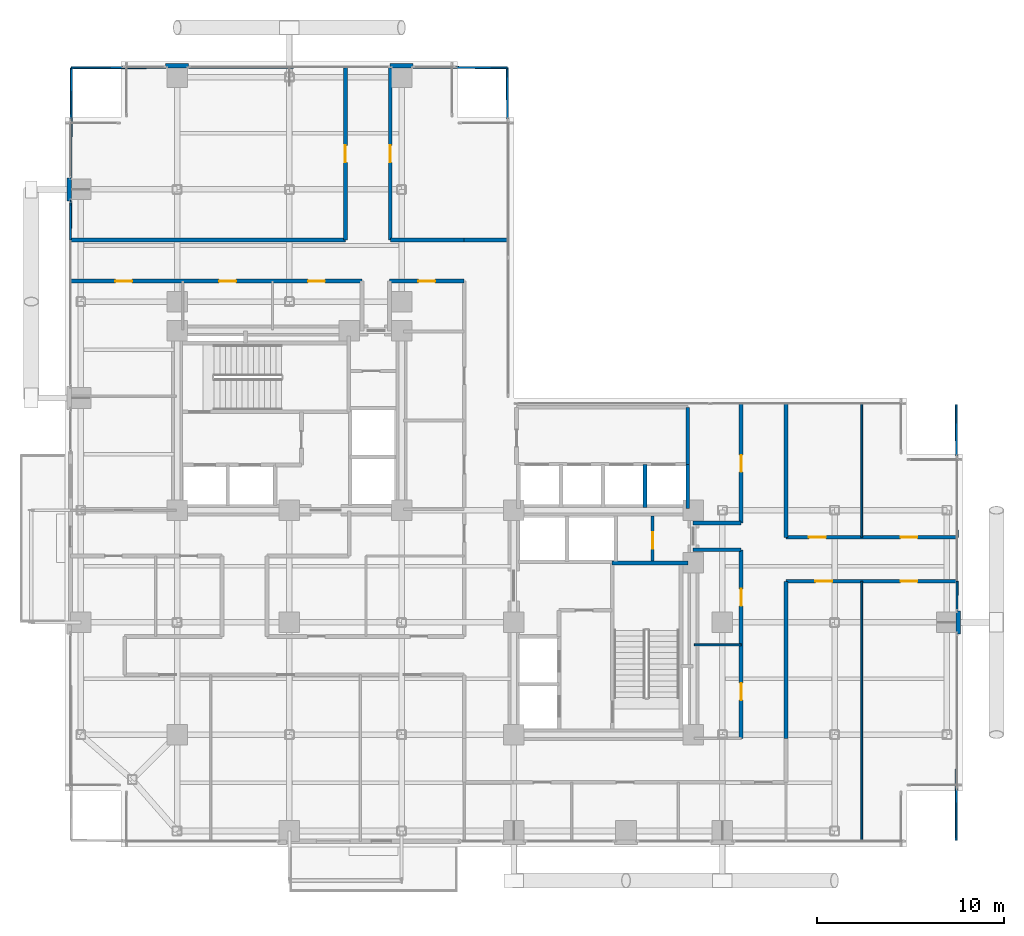
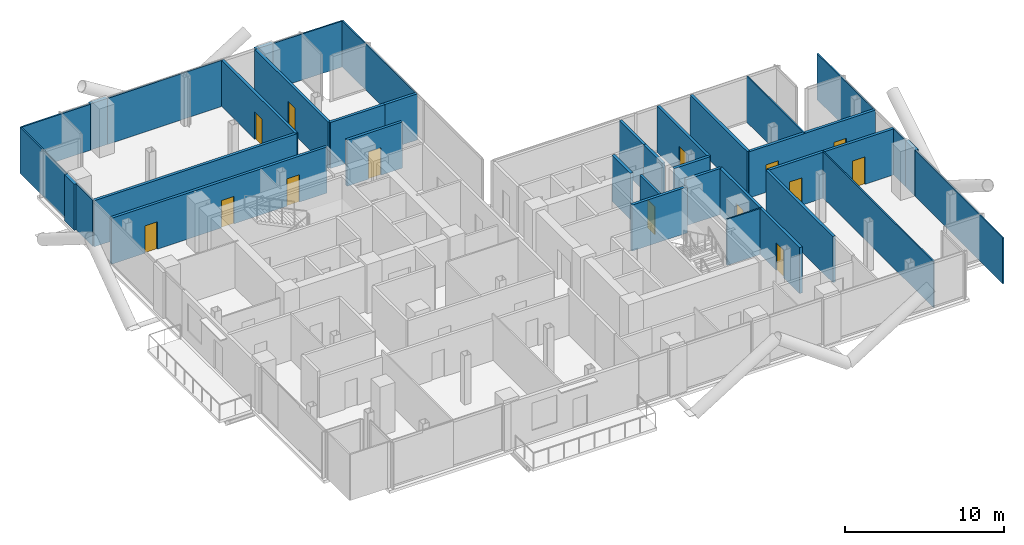
# One storey, part 21 of 24: 36 walls, 14 doors, 14 openings.
"""IFC4 building model written with IfcOpenShell, lengths in metres."""

from ifc_helpers import new_model, si_unit, direction, frame, frame_2d, origin, place, context, subcontext, project, spatial, rectangle, extrude, material, layer, layer_set, type_object, element, fill, save


model = new_model("IFC4")

# Units and contexts
model_context = context("Model", 3, precision=1e-05, world=origin(), true_north=direction((0.0, 1.0)))
body_context = subcontext(model_context, "Body", "Model", "MODEL_VIEW")
ifc_project = project(units=[si_unit("LENGTHUNIT", "METRE"), si_unit("AREAUNIT", "SQUARE_METRE"), si_unit("VOLUMEUNIT", "CUBIC_METRE"), si_unit("PLANEANGLEUNIT", "RADIAN"), si_unit("MASSUNIT", "GRAM", prefix="KILO"), si_unit("THERMODYNAMICTEMPERATUREUNIT", "KELVIN"), si_unit("POWERUNIT", "WATT")], contexts=[model_context])

# Site, building, storey
site_placement = place(None, origin())
site = spatial("IfcSite", under=ifc_project, at=site_placement, CompositionType="ELEMENT")
building_placement = place(site_placement, origin())
building = spatial("IfcBuilding", under=site, at=building_placement, Name="Svarakhadi Broadcast Tower", CompositionType="ELEMENT")
storey_placement = place(building_placement, frame((0.0, 0.0, 145.64990234375)))
storey = spatial("IfcBuildingStorey", under=building, at=storey_placement, Name="L35", CompositionType="ELEMENT", Elevation=145.64990234375)

# Wall, openings, doors
ifc_material_1 = material(Name="Double-Stud Acoustic Studio Partition STC-62", Category="gypsum")
ifc_layer_1 = layer(ifc_material_1, 0.199951171875)
ifc_layer_set_1 = layer_set([ifc_layer_1], Name="Double-Stud Acoustic Studio Partition STC-62")
wall_type_1 = type_object("IfcWallType", Name="Wall_Acoust_200", PredefinedType="PARTITIONING", material=ifc_layer_set_1)
wall_1_placement = place(storey_placement, frame((36.14990234375, 5.800048828125, 0.0), z_axis=(0.0, 0.0, 1.0), x_axis=(0.0, 1.0, 0.0)))
wall_1 = element("IfcWall", 1, at=wall_1_placement, inside=storey, type_object=wall_type_1, Name="L35 Zone 2/3 Corridor Wall", PredefinedType="PARTITIONING", context=body_context, shape_type="SweptSolid", body=[
    extrude(rectangle(XDim=10.079833984375, YDim=0.199951171875, at=frame_2d((5.0400390625, 0.0))), origin(), (0.0, 0.0, 1.0), 3.525146484375),
])
opening_1_placement = place(wall_1_placement, frame((2.050048828125, 0.0, 0.0)))
opening_1 = element("IfcOpeningElement", 2, at=opening_1_placement, cuts=wall_1, Name="Opening D-15", PredefinedType="OPENING", context=body_context, shape_type="SweptSolid", body=[
    extrude(rectangle(XDim=0.89990234375, YDim=2.10009765625, at=frame_2d((0.449951171875, 1.050048828125))), frame((0.0, 0.10986328125, 0.0), z_axis=(0.0, -1.0, 0.0), x_axis=(1.0, 0.0, 0.0)), (0.0, 0.0, 1.0), 0.219970703125),
])
opening_2_placement = place(wall_1_placement, frame((7.090087890625, 0.0, 0.0)))
opening_2 = element("IfcOpeningElement", 3, at=opening_2_placement, cuts=wall_1, Name="Opening D-15", PredefinedType="OPENING", context=body_context, shape_type="SweptSolid", body=[
    extrude(rectangle(XDim=0.89990234375, YDim=2.10009765625, at=frame_2d((0.449951171875, 1.050048828125))), frame((0.0, 0.10986328125, 0.0), z_axis=(0.0, -1.0, 0.0), x_axis=(1.0, 0.0, 0.0)), (0.0, 0.0, 1.0), 0.219970703125),
])
ifc_material_2 = material(Name="Solid-Core Teak Veneer Acoustic Timber Leaf", Category="wood")
door_type_1 = type_object("IfcDoorType", Name="Door_Int_D15", OperationType="SINGLE_SWING_RIGHT", PredefinedType="DOOR", material=ifc_material_2)
door_1_placement = place(opening_1_placement, origin())
door_1 = element("IfcDoor", 4, at=door_1_placement, inside=storey, type_object=door_type_1, Name="L35 Media Playout Monitoring Office Door", OperationType="SINGLE_SWING_RIGHT", OverallHeight=2.10009765625, OverallWidth=0.89990234375, PredefinedType="DOOR", context=body_context, shape_type="SweptSolid", body=[
    extrude(rectangle(XDim=0.89990234375, YDim=2.10009765625, at=frame_2d((0.449951171875, 1.050048828125))), frame((0.0, 0.02490234375, 0.0), z_axis=(0.0, -1.0, 0.0), x_axis=(1.0, 0.0, 0.0)), (0.0, 0.0, 1.0), 0.050048828125),
])
fill(opening_1, door_1)
door_2_placement = place(opening_2_placement, origin())
door_2 = element("IfcDoor", 5, at=door_2_placement, inside=storey, type_object=door_type_1, Name="L35 Broadcast Ingest Studio Door", OperationType="SINGLE_SWING_RIGHT", OverallHeight=2.10009765625, OverallWidth=0.89990234375, PredefinedType="DOOR", context=body_context, shape_type="SweptSolid", body=[
    extrude(rectangle(XDim=0.89990234375, YDim=2.10009765625, at=frame_2d((0.449951171875, 1.050048828125))), frame((0.0, 0.02490234375, 0.0), z_axis=(0.0, -1.0, 0.0), x_axis=(1.0, 0.0, 0.0)), (0.0, 0.0, 1.0), 0.050048828125),
])
fill(opening_2, door_2)

# Walls
for number, where, z_axis, x_axis, name in (
    (6, (36.14990234375, 15.8798828125, 0.0), (0.0, 0.0, 1.0), (-1.0, 0.0, 0.0), "L35 Zone 2/3 Corridor Wall"),
    (7, (33.580078125, 17.320068359375, 0.0), (0.0, 0.0, 1.0), (1.0, 0.0, 0.0), "L35 Zone 2/3 Corridor Wall"),
):
    element("IfcWall", number, at=place(storey_placement, frame(where, z_axis=z_axis, x_axis=x_axis)), inside=storey, type_object=wall_type_1, Name=name, PredefinedType="PARTITIONING", context=body_context, shape_type="SweptSolid", body=[
        extrude(rectangle(XDim=2.56982421875, YDim=0.199951171875, at=frame_2d((1.284912109375, 0.0))), origin(), (0.0, 0.0, 1.0), 3.525146484375),
    ])

# Wall, opening, door
wall_2_placement = place(storey_placement, frame((36.14990234375, 17.320068359375, 0.0), z_axis=(0.0, 0.0, 1.0), x_axis=(0.0, 1.0, 0.0)))
wall_2 = element("IfcWall", 8, at=wall_2_placement, inside=storey, type_object=wall_type_1, Name="L35 Zone 2/3 Corridor Wall", PredefinedType="PARTITIONING", context=body_context, shape_type="SweptSolid", body=[
    extrude(rectangle(XDim=6.3798828125, YDim=0.199951171875, at=frame_2d((3.18994140625, 0.0))), origin(), (0.0, 0.0, 1.0), 3.525146484375),
])
opening_3_placement = place(wall_2_placement, frame((2.72998046875, 0.0, 0.0)))
opening_3 = element("IfcOpeningElement", 9, at=opening_3_placement, cuts=wall_2, Name="Opening D-15", PredefinedType="OPENING", context=body_context, shape_type="SweptSolid", body=[
    extrude(rectangle(XDim=0.89990234375, YDim=2.10009765625, at=frame_2d((0.449951171875, 1.050048828125))), frame((0.0, 0.10986328125, 0.0), z_axis=(0.0, -1.0, 0.0), x_axis=(1.0, 0.0, 0.0)), (0.0, 0.0, 1.0), 0.219970703125),
])
door_3_placement = place(opening_3_placement, origin())
door_3 = element("IfcDoor", 10, at=door_3_placement, inside=storey, type_object=door_type_1, Name="L35 Post-Production Coordination Office Door", OperationType="SINGLE_SWING_RIGHT", OverallHeight=2.10009765625, OverallWidth=0.89990234375, PredefinedType="DOOR", context=body_context, shape_type="SweptSolid", body=[
    extrude(rectangle(XDim=0.89990234375, YDim=2.10009765625, at=frame_2d((0.449951171875, 1.050048828125))), frame((0.0, 0.02490234375, 0.0), z_axis=(0.0, -1.0, 0.0), x_axis=(1.0, 0.0, 0.0)), (0.0, 0.0, 1.0), 0.050048828125),
])
fill(opening_3, door_3)

# Wall
wall_3_placement = place(storey_placement, frame((38.550048828125, 23.699951171875, 0.0), z_axis=(0.0, 0.0, 1.0), x_axis=(0.0, -1.0, 0.0)))
element("IfcWall", 11, at=wall_3_placement, inside=storey, type_object=wall_type_1, Name="L35 Zone 2/3 Corridor Wall", PredefinedType="PARTITIONING", context=body_context, shape_type="SweptSolid", body=[
    extrude(rectangle(XDim=7.14990234375, YDim=0.199951171875, at=frame_2d((3.574951171875, 0.0))), origin(), (0.0, 0.0, 1.0), 3.525146484375),
])

# Wall, openings, doors
wall_4_placement = place(storey_placement, frame((38.550048828125, 16.550048828125, 0.0), z_axis=(0.0, 0.0, 1.0), x_axis=(1.0, 0.0, 0.0)))
wall_4 = element("IfcWall", 12, at=wall_4_placement, inside=storey, type_object=wall_type_1, Name="L35 Zone 2/3 Corridor Wall", PredefinedType="PARTITIONING", context=body_context, shape_type="SweptSolid", body=[
    extrude(rectangle(XDim=9.14990234375, YDim=0.199951171875, at=frame_2d((4.574951171875, 0.0))), origin(), (0.0, 0.0, 1.0), 3.525146484375),
])
opening_4_placement = place(wall_4_placement, frame((1.22998046875, 0.0, 0.0)))
opening_4 = element("IfcOpeningElement", 13, at=opening_4_placement, cuts=wall_4, Name="Opening D-14", PredefinedType="OPENING", context=body_context, shape_type="SweptSolid", body=[
    extrude(rectangle(XDim=0.89990234375, YDim=2.10009765625, at=frame_2d((0.449951171875, 1.050048828125))), frame((0.0, 0.10986328125, 0.0), z_axis=(0.0, -1.0, 0.0), x_axis=(1.0, 0.0, 0.0)), (0.0, 0.0, 1.0), 0.219970703125),
])
opening_5_placement = place(wall_4_placement, frame((6.125, 0.0, 0.0)))
opening_5 = element("IfcOpeningElement", 14, at=opening_5_placement, cuts=wall_4, Name="Opening D-15", PredefinedType="OPENING", context=body_context, shape_type="SweptSolid", body=[
    extrude(rectangle(XDim=0.89990234375, YDim=2.10009765625, at=frame_2d((0.449951171875, 1.050048828125))), frame((0.0, 0.10986328125, 0.0), z_axis=(0.0, -1.0, 0.0), x_axis=(1.0, 0.0, 0.0)), (0.0, 0.0, 1.0), 0.219970703125),
])
door_type_2 = type_object("IfcDoorType", Name="Door_Int_D14", OperationType="SINGLE_SWING_LEFT", PredefinedType="DOOR", material=ifc_material_2)
door_4_placement = place(opening_4_placement, origin())
door_4 = element("IfcDoor", 15, at=door_4_placement, inside=storey, type_object=door_type_2, Name="L35 Broadcast Graphics Room Door", OperationType="SINGLE_SWING_LEFT", OverallHeight=2.10009765625, OverallWidth=0.89990234375, PredefinedType="DOOR", context=body_context, shape_type="SweptSolid", body=[
    extrude(rectangle(XDim=0.89990234375, YDim=2.10009765625, at=frame_2d((0.449951171875, 1.050048828125))), frame((0.0, 0.02490234375, 0.0), z_axis=(0.0, -1.0, 0.0), x_axis=(1.0, 0.0, 0.0)), (0.0, 0.0, 1.0), 0.050048828125),
])
fill(opening_4, door_4)
door_5_placement = place(opening_5_placement, origin())
door_5 = element("IfcDoor", 16, at=door_5_placement, inside=storey, type_object=door_type_1, Name="L35 Graphics Workstation Office Door", OperationType="SINGLE_SWING_RIGHT", OverallHeight=2.10009765625, OverallWidth=0.89990234375, PredefinedType="DOOR", context=body_context, shape_type="SweptSolid", body=[
    extrude(rectangle(XDim=0.89990234375, YDim=2.10009765625, at=frame_2d((0.449951171875, 1.050048828125))), frame((0.0, 0.02490234375, 0.0), z_axis=(0.0, -1.0, 0.0), x_axis=(1.0, 0.0, 0.0)), (0.0, 0.0, 1.0), 0.050048828125),
])
fill(opening_5, door_5)

wall_5_placement = place(storey_placement, frame((47.699951171875, 14.199951171875, 0.0), z_axis=(0.0, 0.0, 1.0), x_axis=(-1.0, 0.0, 0.0)))
wall_5 = element("IfcWall", 17, at=wall_5_placement, inside=storey, type_object=wall_type_1, Name="L35 Zone 2/3 Corridor Wall", PredefinedType="PARTITIONING", context=body_context, shape_type="SweptSolid", body=[
    extrude(rectangle(XDim=9.14990234375, YDim=0.199951171875, at=frame_2d((4.574951171875, 0.0))), origin(), (0.0, 0.0, 1.0), 3.525146484375),
])
opening_6_placement = place(wall_5_placement, frame((6.675048828125, 0.0, 0.0)))
opening_6 = element("IfcOpeningElement", 18, at=opening_6_placement, cuts=wall_5, Name="Opening D-14", PredefinedType="OPENING", context=body_context, shape_type="SweptSolid", body=[
    extrude(rectangle(XDim=0.89990234375, YDim=2.10009765625, at=frame_2d((0.449951171875, 1.050048828125))), frame((0.0, 0.10986328125, 0.0), z_axis=(0.0, -1.0, 0.0), x_axis=(1.0, 0.0, 0.0)), (0.0, 0.0, 1.0), 0.219970703125),
])
opening_7_placement = place(wall_5_placement, frame((2.125, 0.0, 0.0)))
opening_7 = element("IfcOpeningElement", 19, at=opening_7_placement, cuts=wall_5, Name="Opening D-15", PredefinedType="OPENING", context=body_context, shape_type="SweptSolid", body=[
    extrude(rectangle(XDim=0.89990234375, YDim=2.10009765625, at=frame_2d((0.449951171875, 1.050048828125))), frame((0.0, 0.10986328125, 0.0), z_axis=(0.0, -1.0, 0.0), x_axis=(1.0, 0.0, 0.0)), (0.0, 0.0, 1.0), 0.219970703125),
])
door_6_placement = place(opening_6_placement, origin())
door_6 = element("IfcDoor", 20, at=door_6_placement, inside=storey, type_object=door_type_2, Name="L35 Concept Art Pod Door", OperationType="SINGLE_SWING_LEFT", OverallHeight=2.10009765625, OverallWidth=0.89990234375, PredefinedType="DOOR", context=body_context, shape_type="SweptSolid", body=[
    extrude(rectangle(XDim=0.89990234375, YDim=2.10009765625, at=frame_2d((0.449951171875, 1.050048828125))), frame((0.0, 0.02490234375, 0.0), z_axis=(0.0, -1.0, 0.0), x_axis=(1.0, 0.0, 0.0)), (0.0, 0.0, 1.0), 0.050048828125),
])
fill(opening_6, door_6)
door_7_placement = place(opening_7_placement, origin())
door_7 = element("IfcDoor", 21, at=door_7_placement, inside=storey, type_object=door_type_1, Name="L35 3D Rigging Pod Door", OperationType="SINGLE_SWING_RIGHT", OverallHeight=2.10009765625, OverallWidth=0.89990234375, PredefinedType="DOOR", context=body_context, shape_type="SweptSolid", body=[
    extrude(rectangle(XDim=0.89990234375, YDim=2.10009765625, at=frame_2d((0.449951171875, 1.050048828125))), frame((0.0, 0.02490234375, 0.0), z_axis=(0.0, -1.0, 0.0), x_axis=(1.0, 0.0, 0.0)), (0.0, 0.0, 1.0), 0.050048828125),
])
fill(opening_7, door_7)

# Wall
wall_6_placement = place(storey_placement, frame((38.550048828125, 14.199951171875, 0.0), z_axis=(0.0, 0.0, 1.0), x_axis=(0.0, -1.0, 0.0)))
element("IfcWall", 22, at=wall_6_placement, inside=storey, type_object=wall_type_1, Name="L35 Zone 2/3 Corridor Wall", PredefinedType="PARTITIONING", context=body_context, shape_type="SweptSolid", body=[
    extrude(rectangle(XDim=8.39990234375, YDim=0.199951171875, at=frame_2d((4.199951171875, 0.0))), origin(), (0.0, 0.0, 1.0), 3.525146484375),
])

# Wall, opening, door
wall_7_placement = place(storey_placement, frame((21.35009765625, 30.25, 0.0), z_axis=(0.0, 0.0, 1.0), x_axis=(-1.0, 0.0, 0.0)))
wall_7 = element("IfcWall", 23, at=wall_7_placement, inside=storey, type_object=wall_type_1, Name="L35 Zone 2/3 Corridor Wall", PredefinedType="PARTITIONING", context=body_context, shape_type="SweptSolid", body=[
    extrude(rectangle(XDim=4.0, YDim=0.199951171875, at=frame_2d((2.0, 0.0))), origin(), (0.0, 0.0, 1.0), 3.525146484375),
])
opening_8_placement = place(wall_7_placement, frame((1.550048828125, 0.0, 0.0)))
opening_8 = element("IfcOpeningElement", 24, at=opening_8_placement, cuts=wall_7, Name="Opening D-14", PredefinedType="OPENING", context=body_context, shape_type="SweptSolid", body=[
    extrude(rectangle(XDim=0.89990234375, YDim=2.10009765625, at=frame_2d((0.449951171875, 1.050048828125))), frame((0.0, 0.10986328125, 0.0), z_axis=(0.0, -1.0, 0.0), x_axis=(1.0, 0.0, 0.0)), (0.0, 0.0, 1.0), 0.219970703125),
])
door_8_placement = place(opening_8_placement, origin())
door_8 = element("IfcDoor", 25, at=door_8_placement, inside=storey, type_object=door_type_2, Name="L35 Media Continuity Study Door", OperationType="SINGLE_SWING_LEFT", OverallHeight=2.10009765625, OverallWidth=0.89990234375, PredefinedType="DOOR", context=body_context, shape_type="SweptSolid", body=[
    extrude(rectangle(XDim=0.89990234375, YDim=2.10009765625, at=frame_2d((0.449951171875, 1.050048828125))), frame((0.0, 0.02490234375, 0.0), z_axis=(0.0, -1.0, 0.0), x_axis=(1.0, 0.0, 0.0)), (0.0, 0.0, 1.0), 0.050048828125),
])
fill(opening_8, door_8)

# Wall, openings, doors
wall_8_placement = place(storey_placement, frame((15.8798828125, 30.25, 0.0), z_axis=(0.0, 0.0, 1.0), x_axis=(-1.0, 0.0, 0.0)))
wall_8 = element("IfcWall", 26, at=wall_8_placement, inside=storey, type_object=wall_type_1, Name="L35 Zone 2/3 Corridor Wall", PredefinedType="PARTITIONING", context=body_context, shape_type="SweptSolid", body=[
    extrude(rectangle(XDim=15.579833984375, YDim=0.199951171875, at=frame_2d((7.7900390625, 0.0))), origin(), (0.0, 0.0, 1.0), 3.525146484375),
])
opening_9_placement = place(wall_8_placement, frame((12.280029296875, 0.0, 0.0)))
opening_9 = element("IfcOpeningElement", 27, at=opening_9_placement, cuts=wall_8, Name="Opening D-14", PredefinedType="OPENING", context=body_context, shape_type="SweptSolid", body=[
    extrude(rectangle(XDim=0.89990234375, YDim=2.10009765625, at=frame_2d((0.449951171875, 1.050048828125))), frame((0.0, 0.10986328125, 0.0), z_axis=(0.0, -1.0, 0.0), x_axis=(1.0, 0.0, 0.0)), (0.0, 0.0, 1.0), 0.219970703125),
])
opening_10_placement = place(wall_8_placement, frame((6.72998046875, 0.0, 0.0)))
opening_10 = element("IfcOpeningElement", 28, at=opening_10_placement, cuts=wall_8, Name="Opening D-15", PredefinedType="OPENING", context=body_context, shape_type="SweptSolid", body=[
    extrude(rectangle(XDim=0.89990234375, YDim=2.10009765625, at=frame_2d((0.449951171875, 1.050048828125))), frame((0.0, 0.10986328125, 0.0), z_axis=(0.0, -1.0, 0.0), x_axis=(1.0, 0.0, 0.0)), (0.0, 0.0, 1.0), 0.219970703125),
])
opening_11_placement = place(wall_8_placement, frame((1.97998046875, 0.0, 0.0)))
opening_11 = element("IfcOpeningElement", 29, at=opening_11_placement, cuts=wall_8, Name="Opening D-14", PredefinedType="OPENING", context=body_context, shape_type="SweptSolid", body=[
    extrude(rectangle(XDim=0.89990234375, YDim=2.10009765625, at=frame_2d((0.449951171875, 1.050048828125))), frame((0.0, 0.10986328125, 0.0), z_axis=(0.0, -1.0, 0.0), x_axis=(1.0, 0.0, 0.0)), (0.0, 0.0, 1.0), 0.219970703125),
])
door_9_placement = place(opening_9_placement, origin())
door_9 = element("IfcDoor", 30, at=door_9_placement, inside=storey, type_object=door_type_2, Name="L35 Sunset Horizon Screening Room Door", OperationType="SINGLE_SWING_LEFT", OverallHeight=2.10009765625, OverallWidth=0.89990234375, PredefinedType="DOOR", context=body_context, shape_type="SweptSolid", body=[
    extrude(rectangle(XDim=0.89990234375, YDim=2.10009765625, at=frame_2d((0.449951171875, 1.050048828125))), frame((0.0, 0.02490234375, 0.0), z_axis=(0.0, -1.0, 0.0), x_axis=(1.0, 0.0, 0.0)), (0.0, 0.0, 1.0), 0.050048828125),
])
fill(opening_9, door_9)
door_10_placement = place(opening_11_placement, origin())
door_10 = element("IfcDoor", 31, at=door_10_placement, inside=storey, type_object=door_type_2, Name="L35 Editorial Color Grading Pod Door", OperationType="SINGLE_SWING_LEFT", OverallHeight=2.10009765625, OverallWidth=0.89990234375, PredefinedType="DOOR", context=body_context, shape_type="SweptSolid", body=[
    extrude(rectangle(XDim=0.89990234375, YDim=2.10009765625, at=frame_2d((0.449951171875, 1.050048828125))), frame((0.0, 0.02490234375, 0.0), z_axis=(0.0, -1.0, 0.0), x_axis=(1.0, 0.0, 0.0)), (0.0, 0.0, 1.0), 0.050048828125),
])
fill(opening_11, door_10)
door_11_placement = place(opening_10_placement, origin())
door_11 = element("IfcDoor", 32, at=door_11_placement, inside=storey, type_object=door_type_1, Name="L35 Acoustic Dubbing Booth Door", OperationType="SINGLE_SWING_RIGHT", OverallHeight=2.10009765625, OverallWidth=0.89990234375, PredefinedType="DOOR", context=body_context, shape_type="SweptSolid", body=[
    extrude(rectangle(XDim=0.89990234375, YDim=2.10009765625, at=frame_2d((0.449951171875, 1.050048828125))), frame((0.0, 0.02490234375, 0.0), z_axis=(0.0, -1.0, 0.0), x_axis=(1.0, 0.0, 0.0)), (0.0, 0.0, 1.0), 0.050048828125),
])
fill(opening_10, door_11)

# Wall
wall_9_placement = place(storey_placement, frame((0.300048828125, 32.449951171875, 0.0), z_axis=(0.0, 0.0, 1.0), x_axis=(1.0, 0.0, 0.0)))
element("IfcWall", 33, at=wall_9_placement, inside=storey, type_object=wall_type_1, Name="L35 Zone 2/3 Corridor Wall", PredefinedType="PARTITIONING", context=body_context, shape_type="SweptSolid", body=[
    extrude(rectangle(XDim=14.699951171875, YDim=0.199951171875, at=frame_2d((7.35009765625, 0.0))), origin(), (0.0, 0.0, 1.0), 3.525146484375),
])

# Wall, opening, door
wall_10_placement = place(storey_placement, frame((15.0, 32.449951171875, 0.0), z_axis=(0.0, 0.0, 1.0), x_axis=(0.0, 1.0, 0.0)))
wall_10 = element("IfcWall", 34, at=wall_10_placement, inside=storey, type_object=wall_type_1, Name="L35 Zone 2/3 Corridor Wall", PredefinedType="PARTITIONING", context=body_context, shape_type="SweptSolid", body=[
    extrude(rectangle(XDim=9.25, YDim=0.199951171875, at=frame_2d((4.625, 0.0))), origin(), (0.0, 0.0, 1.0), 3.525146484375),
])
opening_12_placement = place(wall_10_placement, frame((4.14990234375, 0.0, 0.0)))
opening_12 = element("IfcOpeningElement", 35, at=opening_12_placement, cuts=wall_10, Name="Opening D-15", PredefinedType="OPENING", context=body_context, shape_type="SweptSolid", body=[
    extrude(rectangle(XDim=0.89990234375, YDim=2.10009765625, at=frame_2d((0.449951171875, 1.050048828125))), frame((0.0, 0.10986328125, 0.0), z_axis=(0.0, -1.0, 0.0), x_axis=(1.0, 0.0, 0.0)), (0.0, 0.0, 1.0), 0.219970703125),
])
door_12_placement = place(opening_12_placement, origin())
door_12 = element("IfcDoor", 36, at=door_12_placement, inside=storey, type_object=door_type_1, Name="L35 Creators Commons Bistro Door", OperationType="SINGLE_SWING_RIGHT", OverallHeight=2.10009765625, OverallWidth=0.89990234375, PredefinedType="DOOR", context=body_context, shape_type="SweptSolid", body=[
    extrude(rectangle(XDim=0.89990234375, YDim=2.10009765625, at=frame_2d((0.449951171875, 1.050048828125))), frame((0.0, 0.02490234375, 0.0), z_axis=(0.0, -1.0, 0.0), x_axis=(1.0, 0.0, 0.0)), (0.0, 0.0, 1.0), 0.050048828125),
])
fill(opening_12, door_12)

wall_11_placement = place(storey_placement, frame((17.39990234375, 41.699951171875, 0.0), z_axis=(0.0, 0.0, 1.0), x_axis=(0.0, -1.0, 0.0)))
wall_11 = element("IfcWall", 37, at=wall_11_placement, inside=storey, type_object=wall_type_1, Name="L35 Zone 2/3 Corridor Wall", PredefinedType="PARTITIONING", context=body_context, shape_type="SweptSolid", body=[
    extrude(rectangle(XDim=9.25, YDim=0.199951171875, at=frame_2d((4.625, 0.0))), origin(), (0.0, 0.0, 1.0), 3.525146484375),
])
opening_13_placement = place(wall_11_placement, frame((4.199951171875, 0.0, 0.0)))
opening_13 = element("IfcOpeningElement", 38, at=opening_13_placement, cuts=wall_11, Name="Opening D-14", PredefinedType="OPENING", context=body_context, shape_type="SweptSolid", body=[
    extrude(rectangle(XDim=0.89990234375, YDim=2.10009765625, at=frame_2d((0.449951171875, 1.050048828125))), frame((0.0, 0.10986328125, 0.0), z_axis=(0.0, -1.0, 0.0), x_axis=(1.0, 0.0, 0.0)), (0.0, 0.0, 1.0), 0.219970703125),
])
door_13_placement = place(opening_13_placement, origin())
door_13 = element("IfcDoor", 39, at=door_13_placement, inside=storey, type_object=door_type_2, Name="L35 Executive Producer Office Door", OperationType="SINGLE_SWING_LEFT", OverallHeight=2.10009765625, OverallWidth=0.89990234375, PredefinedType="DOOR", context=body_context, shape_type="SweptSolid", body=[
    extrude(rectangle(XDim=0.89990234375, YDim=2.10009765625, at=frame_2d((0.449951171875, 1.050048828125))), frame((0.0, 0.02490234375, 0.0), z_axis=(0.0, -1.0, 0.0), x_axis=(1.0, 0.0, 0.0)), (0.0, 0.0, 1.0), 0.050048828125),
])
fill(opening_13, door_13)

# Walls
wall_12_placement = place(storey_placement, frame((17.39990234375, 32.449951171875, 0.0), z_axis=(0.0, 0.0, 1.0), x_axis=(1.0, 0.0, 0.0)))
element("IfcWall", 40, at=wall_12_placement, inside=storey, type_object=wall_type_1, Name="L35 Zone 2/3 Corridor Wall", PredefinedType="PARTITIONING", context=body_context, shape_type="SweptSolid", body=[
    extrude(rectangle(XDim=3.9501953125, YDim=0.199951171875, at=frame_2d((1.97509765625, 0.0))), origin(), (0.0, 0.0, 1.0), 3.525146484375),
])
wall_13_placement = place(storey_placement, frame((21.35009765625, 32.449951171875, 0.0), z_axis=(0.0, 0.0, 1.0), x_axis=(1.0, 0.0, 0.0)))
element("IfcWall", 41, at=wall_13_placement, inside=storey, type_object=wall_type_1, Name="L35 Zone 2/3 Corridor Wall", PredefinedType="PARTITIONING", context=body_context, shape_type="SweptSolid", body=[
    extrude(rectangle(XDim=2.349853515625, YDim=0.199951171875, at=frame_2d((1.1748046875, 0.0))), origin(), (0.0, 0.0, 1.0), 3.525146484375),
])
ifc_material_3 = material(Name="Concrete C40/50 (IS 456 M50)", Category="concrete")
ifc_layer_2 = layer(ifc_material_3, 0.239990234375)
ifc_layer_set_2 = layer_set([ifc_layer_2], Name="Concrete C40/50 (IS 456 M50)")
wall_type_2 = type_object("IfcWallType", Name="Wall_Ext_240", PredefinedType="SOLIDWALL", material=ifc_layer_set_2)
for number, where, z_axis, x_axis, name in (
    (42, (0.239990234375, 34.534912109375, 0.0), (0.0, 0.0, 1.0), (0.0, 1.0, 0.0), "L35 Perimeter Bronze Spandrel Closure Wall 03"),
    (43, (5.385009765625, 41.760009765625, 0.0), (0.0, 0.0, 1.0), (1.0, 0.0, 0.0), "L35 Perimeter Bronze Spandrel Closure Wall 04"),
    (44, (17.385009765625, 41.760009765625, 0.0), (0.0, 0.0, 1.0), (1.0, 0.0, 0.0), "L35 Perimeter Bronze Spandrel Closure Wall 05"),
    (45, (47.760009765625, 12.614990234375, 0.0), (0.0, 0.0, 1.0), (0.0, -1.0, 0.0), "L35 Perimeter Bronze Spandrel Closure Wall 06"),
):
    element("IfcWall", number, at=place(storey_placement, frame(where, z_axis=z_axis, x_axis=x_axis)), inside=storey, type_object=wall_type_2, Name=name, PredefinedType="SOLIDWALL", context=body_context, shape_type="SweptSolid", body=[
        extrude(rectangle(XDim=1.22998046875, YDim=0.239990234375, at=frame_2d((0.614990234375, 0.0))), origin(), (0.0, 0.0, 1.0), 3.525146484375),
    ])
ifc_material_4 = material(Name="Fire-Rated Moisture-Resistant Gypsum Board Partition", Category="gypsum")
ifc_layer_3 = layer(ifc_material_4, 0.10009765625)
ifc_layer_set_3 = layer_set([ifc_layer_3], Name="Fire-Rated Moisture-Resistant Gypsum Board Partition")
wall_type_3 = type_object("IfcWallType", Name="Wall_Part_100", PredefinedType="PARTITIONING", material=ifc_layer_set_3)
wall_14_placement = place(storey_placement, frame((33.64990234375, 10.800048828125, 0.0), z_axis=(0.0, 0.0, 1.0), x_axis=(1.0, 0.0, 0.0)))
element("IfcWall", 46, at=wall_14_placement, inside=storey, type_object=wall_type_3, Name="L35 Media Playout Monitoring Office Wall", PredefinedType="PARTITIONING", context=body_context, shape_type="SweptSolid", body=[
    extrude(rectangle(XDim=2.5, YDim=0.10009765625, at=frame_2d((1.25, 0.0))), origin(), (0.0, 0.0, 1.0), 3.525146484375),
])
wall_15_placement = place(storey_placement, frame((42.60009765625, 0.300048828125, 0.0), z_axis=(0.0, 0.0, 1.0), x_axis=(0.0, 1.0, 0.0)))
element("IfcWall", 47, at=wall_15_placement, inside=storey, type_object=wall_type_3, Name="L35 Concept Art Pod Wall", PredefinedType="PARTITIONING", context=body_context, shape_type="SweptSolid", body=[
    extrude(rectangle(XDim=13.89990234375, YDim=0.10009765625, at=frame_2d((6.949951171875, 0.0))), origin(), (0.0, 0.0, 1.0), 3.525146484375),
])
wall_16_placement = place(storey_placement, frame((47.64990234375, 0.35009765625, 0.0), z_axis=(0.0, 0.0, 1.0), x_axis=(0.003606251025, 0.999993497456, 0.0)))
element("IfcWall", 48, at=wall_16_placement, inside=storey, type_object=wall_type_3, Name="L35 3D Rigging Pod Wall", PredefinedType="PARTITIONING", context=body_context, shape_type="SweptSolid", body=[
    extrude(rectangle(XDim=11.034912109375, YDim=0.10009765625, at=frame_2d((5.517578125, 0.0))), origin(), (0.0, 0.0, 1.0), 3.525146484375),
])
wall_17_placement = place(storey_placement, frame((47.6943359375, 12.614990234375, 0.0), z_axis=(0.0, 0.0, 1.0), x_axis=(0.003542799701, 0.999993724265, 0.0)))
element("IfcWall", 49, at=wall_17_placement, inside=storey, type_object=wall_type_3, Name="L35 3D Rigging Pod Wall", PredefinedType="PARTITIONING", context=body_context, shape_type="SweptSolid", body=[
    extrude(rectangle(XDim=1.5849609375, YDim=0.10009765625, at=frame_2d((0.79248046875, 0.0))), origin(), (0.0, 0.0, 1.0), 3.525146484375),
])
wall_18_placement = place(storey_placement, frame((42.60009765625, 16.550048828125, 0.0), z_axis=(0.0, 0.0, 1.0), x_axis=(0.0, 1.0, 0.0)))
element("IfcWall", 50, at=wall_18_placement, inside=storey, type_object=wall_type_3, Name="L35 Broadcast Graphics Room Wall", PredefinedType="PARTITIONING", context=body_context, shape_type="SweptSolid", body=[
    extrude(rectangle(XDim=7.14990234375, YDim=0.10009765625, at=frame_2d((3.574951171875, 0.0))), origin(), (0.0, 0.0, 1.0), 3.525146484375),
])
wall_19_placement = place(storey_placement, frame((47.699951171875, 16.550048828125, 0.0), z_axis=(0.0, 0.0, 1.0), x_axis=(-0.007049101019, 0.999975154779, 0.0)))
element("IfcWall", 51, at=wall_19_placement, inside=storey, type_object=wall_type_3, Name="L35 Graphics Workstation Office Wall", PredefinedType="PARTITIONING", context=body_context, shape_type="SweptSolid", body=[
    extrude(rectangle(XDim=7.10009765625, YDim=0.10009765625, at=frame_2d((3.550048828125, 0.0))), origin(), (0.0, 0.0, 1.0), 3.525146484375),
])
wall_20_placement = place(storey_placement, frame((0.35009765625, 41.64990234375, 0.0), z_axis=(0.0, 0.0, 1.0), x_axis=(0.999994073761, 0.003442737683, 0.0)))
element("IfcWall", 52, at=wall_20_placement, inside=storey, type_object=wall_type_3, Name="L35 Creators Commons Bistro Wall", PredefinedType="PARTITIONING", context=body_context, shape_type="SweptSolid", body=[
    extrude(rectangle(XDim=5.034912109375, YDim=0.10009765625, at=frame_2d((2.517578125, 0.0))), origin(), (0.0, 0.0, 1.0), 3.525146484375),
])
wall_21_placement = place(storey_placement, frame((6.614990234375, 41.67138671875, 0.0), z_axis=(0.0, 0.0, 1.0), x_axis=(0.999994197557, 0.003406589638, 0.0)))
element("IfcWall", 53, at=wall_21_placement, inside=storey, type_object=wall_type_3, Name="L35 Creators Commons Bistro Wall", PredefinedType="PARTITIONING", context=body_context, shape_type="SweptSolid", body=[
    extrude(rectangle(XDim=8.385009765625, YDim=0.10009765625, at=frame_2d((4.1923828125, 0.0))), origin(), (0.0, 0.0, 1.0), 3.525146484375),
])
wall_22_placement = place(storey_placement, frame((0.300048828125, 32.449951171875, 0.0), z_axis=(0.0, 0.0, 1.0), x_axis=(0.005386338724, 0.999985493572, 0.0)))
element("IfcWall", 54, at=wall_22_placement, inside=storey, type_object=wall_type_3, Name="L35 Creators Commons Bistro Wall", PredefinedType="PARTITIONING", context=body_context, shape_type="SweptSolid", body=[
    extrude(rectangle(XDim=2.0849609375, YDim=0.10009765625, at=frame_2d((1.04248046875, 0.0))), origin(), (0.0, 0.0, 1.0), 3.525146484375),
])
wall_23_placement = place(storey_placement, frame((0.318115234375, 35.764892578125, 0.0), z_axis=(0.0, 0.0, 1.0), x_axis=(0.005434476894, 0.999985233121, 0.0)))
element("IfcWall", 55, at=wall_23_placement, inside=storey, type_object=wall_type_3, Name="L35 Creators Commons Bistro Wall", PredefinedType="PARTITIONING", context=body_context, shape_type="SweptSolid", body=[
    extrude(rectangle(XDim=5.885009765625, YDim=0.10009765625, at=frame_2d((2.9423828125, 0.0))), origin(), (0.0, 0.0, 1.0), 3.525146484375),
])
wall_24_placement = place(storey_placement, frame((18.614990234375, 41.690185546875, 0.0), z_axis=(0.0, 0.0, 1.0), x_axis=(0.99996799533, -0.008000519771, 0.0)))
element("IfcWall", 56, at=wall_24_placement, inside=storey, type_object=wall_type_3, Name="L35 Executive Producer Office Wall", PredefinedType="PARTITIONING", context=body_context, shape_type="SweptSolid", body=[
    extrude(rectangle(XDim=5.03515625, YDim=0.10009765625, at=frame_2d((2.517578125, 0.0))), origin(), (0.0, 0.0, 1.0), 3.525146484375),
])
wall_25_placement = place(storey_placement, frame((23.699951171875, 32.449951171875, 0.0), z_axis=(0.0, 0.0, 1.0), x_axis=(-0.005440038388, 0.999985202882, 0.0)))
element("IfcWall", 57, at=wall_25_placement, inside=storey, type_object=wall_type_3, Name="L35 Executive Producer Office Wall", PredefinedType="PARTITIONING", context=body_context, shape_type="SweptSolid", body=[
    extrude(rectangle(XDim=9.2001953125, YDim=0.10009765625, at=frame_2d((4.60009765625, 0.0))), origin(), (0.0, 0.0, 1.0), 3.525146484375),
])

# Wall, opening, door
ifc_material_5 = material(Name="Autoclaved Aerated Concrete Blockwork 150 mm", Category="masonry")
ifc_layer_4 = layer(ifc_material_5, 0.14990234375)
ifc_layer_set_4 = layer_set([ifc_layer_4], Name="Autoclaved Aerated Concrete Blockwork 150 mm")
wall_type_4 = type_object("IfcWallType", Name="Wall_Part_150", PredefinedType="PARTITIONING", material=ifc_layer_set_4)
wall_26_placement = place(storey_placement, frame((31.419921875, 15.280029296875, 0.0), z_axis=(0.0, 0.0, 1.0), x_axis=(0.0, 1.0, 0.0)))
wall_26 = element("IfcWall", 58, at=wall_26_placement, inside=storey, type_object=wall_type_4, Name="L35 East Core Dual Store Wall", PredefinedType="PARTITIONING", context=body_context, shape_type="SweptSolid", body=[
    extrude(rectangle(XDim=2.419921875, YDim=0.14990234375, at=frame_2d((1.2099609375, 0.0))), origin(), (0.0, 0.0, 1.0), 3.525146484375),
])
opening_14_placement = place(wall_26_placement, frame((0.64990234375, 0.0, 0.0)))
opening_14 = element("IfcOpeningElement", 59, at=opening_14_placement, cuts=wall_26, Name="Opening D-04", PredefinedType="OPENING", context=body_context, shape_type="SweptSolid", body=[
    extrude(rectangle(XDim=0.89990234375, YDim=2.14990234375, at=frame_2d((0.449951171875, 1.074951171875))), frame((0.0, 0.0849609375, 0.0), z_axis=(0.0, -1.0, 0.0), x_axis=(1.0, 0.0, 0.0)), (0.0, 0.0, 1.0), 0.169921875),
])
ifc_material_6 = material(Name="Galvanised Powder-Coated Fire-Rated Steel Leaf", Category="steel")
door_type_3 = type_object("IfcDoorType", Name="Door_Fire_D04", OperationType="SINGLE_SWING_RIGHT", PredefinedType="DOOR", material=ifc_material_6)
door_14_placement = place(opening_14_placement, origin())
door_14 = element("IfcDoor", 60, at=door_14_placement, inside=storey, type_object=door_type_3, Name="L35 East Core Store B Door", OperationType="SINGLE_SWING_RIGHT", OverallHeight=2.14990234375, OverallWidth=0.89990234375, PredefinedType="DOOR", context=body_context, shape_type="SweptSolid", body=[
    extrude(rectangle(XDim=0.89990234375, YDim=2.14990234375, at=frame_2d((0.449951171875, 1.074951171875))), frame((0.0, 0.02490234375, 0.0), z_axis=(0.0, -1.0, 0.0), x_axis=(1.0, 0.0, 0.0)), (0.0, 0.0, 1.0), 0.050048828125),
])
fill(opening_14, door_14)

# Walls
ifc_material_7 = material(Name="Concrete C50/60 (IS 456 M60)", Category="concrete")
ifc_layer_5 = layer(ifc_material_7, 0.199951171875)
ifc_layer_set_5 = layer_set([ifc_layer_5], Name="Concrete C50/60 (IS 456 M60)")
wall_type_5 = type_object("IfcWallType", Name="Wall_Shear_200", PredefinedType="SHEAR", material=ifc_layer_set_5)
wall_27_placement = place(storey_placement, frame((29.260009765625, 15.179931640625, 0.0), z_axis=(0.0, 0.0, 1.0), x_axis=(1.0, 0.0, 0.0)))
element("IfcWall", 61, at=wall_27_placement, inside=storey, type_object=wall_type_5, Name="L35 Stair ST-02 North RC Shaft Wall", PredefinedType="SHEAR", context=body_context, shape_type="SweptSolid", body=[
    extrude(rectangle(XDim=4.0400390625, YDim=0.199951171875, at=frame_2d((2.02001953125, 0.0))), origin(), (0.0, 0.0, 1.0), 3.525146484375),
])
wall_28_placement = place(storey_placement, frame((33.300048828125, 18.10009765625, 0.0), z_axis=(0.0, 0.0, 1.0), x_axis=(0.0, 1.0, 0.0)))
element("IfcWall", 62, at=wall_28_placement, inside=storey, type_object=wall_type_5, Name="L35 Bank B East Shaft Wall", PredefinedType="SHEAR", context=body_context, shape_type="SweptSolid", body=[
    extrude(rectangle(XDim=2.349853515625, YDim=0.199951171875, at=frame_2d((1.1748046875, 0.0))), origin(), (0.0, 0.0, 1.0), 3.525146484375),
])
wall_29_placement = place(storey_placement, frame((31.02001953125, 18.14990234375, 0.0), z_axis=(0.0, 0.0, 1.0), x_axis=(0.0, 1.0, 0.0)))
element("IfcWall", 63, at=wall_29_placement, inside=storey, type_object=wall_type_5, Name="L35 Bank B Divider", PredefinedType="SHEAR", context=body_context, shape_type="SweptSolid", body=[
    extrude(rectangle(XDim=2.300048828125, YDim=0.199951171875, at=frame_2d((1.14990234375, 0.0))), origin(), (0.0, 0.0, 1.0), 3.525146484375),
])
wall_30_placement = place(storey_placement, frame((33.300048828125, 20.449951171875, 0.0), z_axis=(0.0, 0.0, 1.0), x_axis=(0.0, 1.0, 0.0)))
element("IfcWall", 64, at=wall_30_placement, inside=storey, type_object=wall_type_5, Name="L35 Bank B Lift Hall East Wall", PredefinedType="SHEAR", context=body_context, shape_type="SweptSolid", body=[
    extrude(rectangle(XDim=3.050048828125, YDim=0.199951171875, at=frame_2d((1.52490234375, 0.0))), origin(), (0.0, 0.0, 1.0), 3.525146484375),
])

save(model, "model.ifc")
